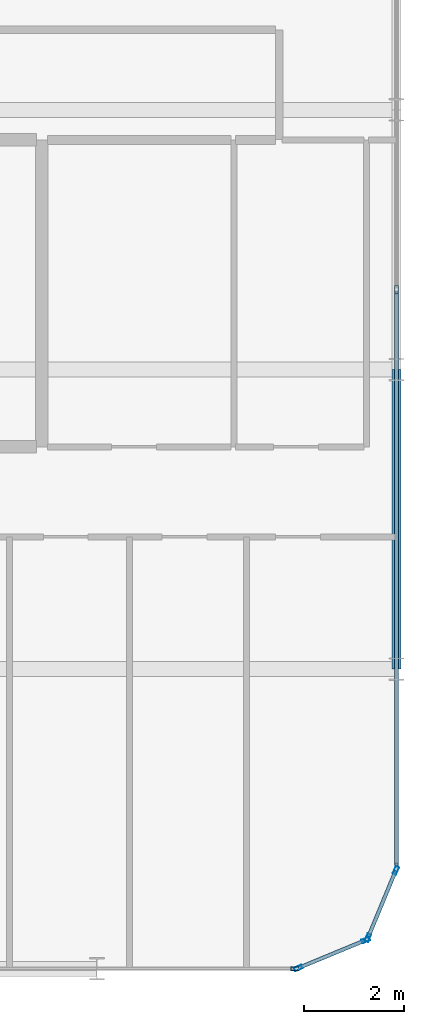
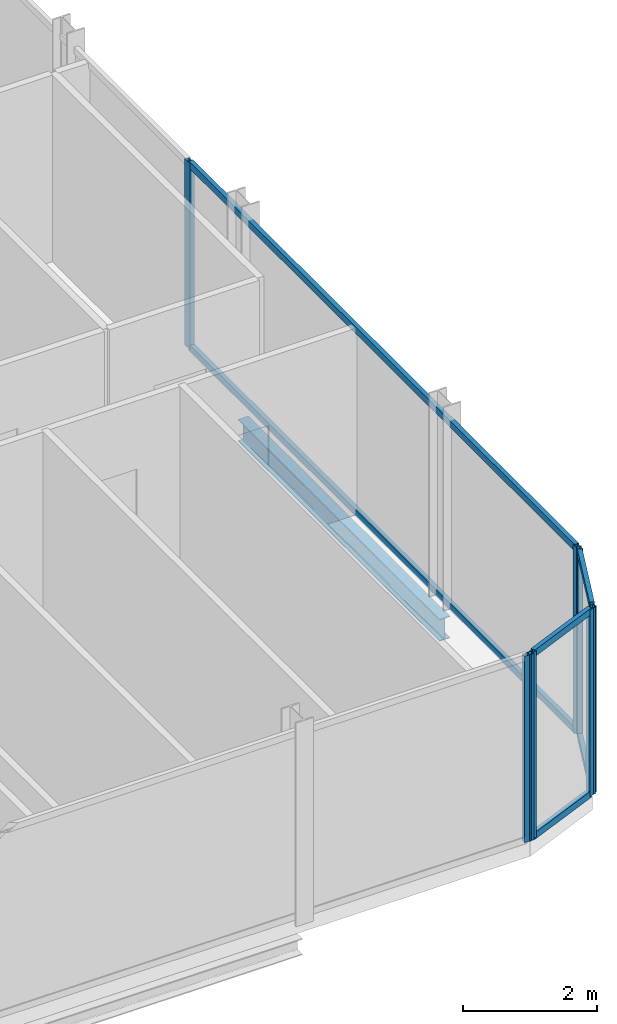
# One storey, part 12 of 29: 13 members, 1 beam, 4 elements without a shape of their own.
"""IFC4 building model written with IfcOpenShell, lengths in metres."""

from ifc_helpers import new_model, si_unit, direction, frame, origin, origin_2d, place, context, subcontext, project, spatial, hollow_rectangle, i_section, extrude, material, layer, layer_set, material_profile, profile_set, type_object, element, aggregate, save


model = new_model("IFC4")

# Units and contexts
model_context = context("Model", 3, precision=1e-05, world=origin(), true_north=direction((0.0, 1.0)))
body_context = subcontext(model_context, "Body", "Model", "MODEL_VIEW")
ifc_project = project(units=[si_unit("LENGTHUNIT", "METRE"), si_unit("AREAUNIT", "SQUARE_METRE"), si_unit("VOLUMEUNIT", "CUBIC_METRE"), si_unit("PLANEANGLEUNIT", "RADIAN"), si_unit("MASSUNIT", "GRAM", prefix="KILO")], contexts=[model_context])

# Site, building, storey
site_placement = place(None, origin())
site = spatial("IfcSite", under=ifc_project, at=site_placement, CompositionType="ELEMENT")
building_placement = place(site_placement, origin())
building = spatial("IfcBuilding", under=site, at=building_placement, Name="Keshet Zoharim Tower", CompositionType="ELEMENT")
storey_placement = place(building_placement, frame((0.0, 0.0, 176.5)))
storey = spatial("IfcBuildingStorey", under=building, at=storey_placement, Name="L43", CompositionType="ELEMENT", Elevation=176.5)

# Beam
ifc_material_1 = material(Name="Steel S355", Category="steel")
ifc_material_profile_1 = material_profile(ifc_material_1, i_section(OverallWidth=0.179931640625, OverallDepth=0.39990234375, WebThickness=0.008544921875, FlangeThickness=0.013427734375, FilletRadius=0.02099609375, at=origin_2d()), Name="IPE400")
ifc_profile_set_1 = profile_set([ifc_material_profile_1], Name="Steel S355")
beam_type = type_object("IfcBeamType", Name="BM-PRI-IP400", PredefinedType="BEAM", material=ifc_profile_set_1)
beam_placement = place(storey_placement, frame((57.0, 6.699951171875, -0.510009765625), z_axis=(0.0, 1.0, 0.0), x_axis=(-1.0, 0.0, 0.0)))
element("IfcBeam", 1, at=beam_placement, inside=storey, type_object=beam_type, Name="L43 Primary Girder Y-013", PredefinedType="BEAM", context=body_context, shape_type="SweptSolid", body=[
    extrude(i_section(OverallWidth=0.179931640625, OverallDepth=0.39990234375, WebThickness=0.008544921875, FlangeThickness=0.013427734375, FilletRadius=0.02099609375, at=origin_2d()), origin(), (0.0, 0.0, 1.0), 6.0),
])

# Curtain wall, members
ifc_material_2 = material(Name="Aluminium 6063-T6", Category="aluminium")
ifc_layer = layer(ifc_material_2, 0.139892578125)
ifc_layer_set = layer_set([ifc_layer], Name="Aluminium 6063-T6")
curtain_wall_type = type_object("IfcCurtainWallType", Name="CW-SYS-05", PredefinedType="NOTDEFINED", material=ifc_layer_set)
curtain_wall_1_placement = place(storey_placement, origin())
curtain_wall_1 = element("IfcCurtainWall", 2, at=curtain_wall_1_placement, inside=storey, type_object=curtain_wall_type, Name="L43 Unitised Curtain Wall 03", PredefinedType="NOTDEFINED")
ifc_material_profile_2 = material_profile(ifc_material_2, hollow_rectangle(XDim=0.074951171875, YDim=0.159912109375, WallThickness=0.00390625, at=origin_2d()), Name="MUL-75x160")
ifc_profile_set_2 = profile_set([ifc_material_profile_2], Name="Aluminium 6063-T6")
member_type_1 = type_object("IfcMemberType", Name="CWM-M15", PredefinedType="MULLION", material=ifc_profile_set_2)
member_1_placement = place(storey_placement, frame((57.0, 14.300048828125, 0.0), z_axis=(0.0, 0.0, 1.0), x_axis=(1.0, 0.0, 0.0)))
member_1 = element("IfcMember", 3, at=member_1_placement, type_object=member_type_1, Name="CW-05 mullion 2", PredefinedType="MULLION", context=body_context, shape_type="SweptSolid", body=[
    extrude(hollow_rectangle(XDim=0.074951171875, YDim=0.159912109375, WallThickness=0.00390625, at=origin_2d()), origin(), (0.0, 0.0, 1.0), 3.389892578125),
])
member_2_placement = place(storey_placement, frame((57.0, 2.735107421875, 0.0), z_axis=(0.0, 0.0, 1.0), x_axis=(1.0, 0.0, 0.0)))
member_2 = element("IfcMember", 4, at=member_2_placement, type_object=member_type_1, Name="CW-05 mullion 3", PredefinedType="MULLION", context=body_context, shape_type="SweptSolid", body=[
    extrude(hollow_rectangle(XDim=0.074951171875, YDim=0.159912109375, WallThickness=0.00390625, at=origin_2d()), origin(), (0.0, 0.0, 1.0), 3.389892578125),
])

curtain_wall_2_placement = place(storey_placement, origin())
curtain_wall_2 = element("IfcCurtainWall", 5, at=curtain_wall_2_placement, inside=storey, type_object=curtain_wall_type, Name="L43 Unitised Curtain Wall 04", PredefinedType="NOTDEFINED")
member_3_placement = place(storey_placement, frame((56.986572265625, 2.667724609375, 0.0), z_axis=(0.0, 0.0, 1.0), x_axis=(0.92380975372, -0.382851849847, 0.0)))
member_3 = element("IfcMember", 6, at=member_3_placement, type_object=member_type_1, Name="CW-05 mullion 1", PredefinedType="MULLION", context=body_context, shape_type="SweptSolid", body=[
    extrude(hollow_rectangle(XDim=0.074951171875, YDim=0.159912109375, WallThickness=0.00390625, at=origin_2d()), origin(), (0.0, 0.0, 1.0), 3.389892578125),
])
member_4_placement = place(storey_placement, frame((56.427490234375, 1.318359375, 0.0), z_axis=(0.0, 0.0, 1.0), x_axis=(0.92380975372, -0.382851849847, 0.0)))
member_4 = element("IfcMember", 7, at=member_4_placement, type_object=member_type_1, Name="CW-05 mullion 2", PredefinedType="MULLION", context=body_context, shape_type="SweptSolid", body=[
    extrude(hollow_rectangle(XDim=0.074951171875, YDim=0.159912109375, WallThickness=0.00390625, at=origin_2d()), origin(), (0.0, 0.0, 1.0), 3.389892578125),
])

curtain_wall_3_placement = place(storey_placement, origin())
curtain_wall_3 = element("IfcCurtainWall", 8, at=curtain_wall_3_placement, inside=storey, type_object=curtain_wall_type, Name="L43 Unitised Curtain Wall 05", PredefinedType="NOTDEFINED")
member_5_placement = place(storey_placement, frame((56.381591796875, 1.272705078125, 0.0), z_axis=(0.0, 0.0, 1.0), x_axis=(0.382851849847, -0.92380975372, 0.0)))
member_5 = element("IfcMember", 9, at=member_5_placement, type_object=member_type_1, Name="CW-05 mullion 1", PredefinedType="MULLION", context=body_context, shape_type="SweptSolid", body=[
    extrude(hollow_rectangle(XDim=0.074951171875, YDim=0.159912109375, WallThickness=0.00390625, at=origin_2d()), origin(), (0.0, 0.0, 1.0), 3.389892578125),
])
member_6_placement = place(storey_placement, frame((55.0322265625, 0.71337890625, 0.0), z_axis=(0.0, 0.0, 1.0), x_axis=(0.382851849847, -0.92380975372, 0.0)))
member_6 = element("IfcMember", 10, at=member_6_placement, type_object=member_type_1, Name="CW-05 mullion 2", PredefinedType="MULLION", context=body_context, shape_type="SweptSolid", body=[
    extrude(hollow_rectangle(XDim=0.074951171875, YDim=0.159912109375, WallThickness=0.00390625, at=origin_2d()), origin(), (0.0, 0.0, 1.0), 3.389892578125),
])

# Curtain wall, member
curtain_wall_4_placement = place(storey_placement, origin())
curtain_wall_4 = element("IfcCurtainWall", 11, at=curtain_wall_4_placement, inside=storey, type_object=curtain_wall_type, Name="L43 Unitised Curtain Wall 06", PredefinedType="NOTDEFINED")
member_7_placement = place(storey_placement, frame((54.965087890625, 0.699951171875, 0.0), z_axis=(0.0, 0.0, 1.0), x_axis=(0.0, -1.0, 0.0)))
member_7 = element("IfcMember", 12, at=member_7_placement, type_object=member_type_1, Name="CW-05 mullion 1", PredefinedType="MULLION", context=body_context, shape_type="SweptSolid", body=[
    extrude(hollow_rectangle(XDim=0.074951171875, YDim=0.159912109375, WallThickness=0.00390625, at=origin_2d()), origin(), (0.0, 0.0, 1.0), 3.389892578125),
])
aggregate(curtain_wall_4, [member_7])

# Member
ifc_material_profile_3 = material_profile(ifc_material_2, hollow_rectangle(XDim=0.074951171875, YDim=0.1201171875, WallThickness=0.00390625, at=origin_2d()), Name="TRN-75x120")
ifc_profile_set_3 = profile_set([ifc_material_profile_3], Name="Aluminium 6063-T6")
member_type_2 = type_object("IfcMemberType", Name="CWT-T12", PredefinedType="USERDEFINED", material=ifc_profile_set_3)
member_8_placement = place(storey_placement, frame((57.0, 14.264892578125, 0.034912109375), z_axis=(0.0, -1.0, 0.0), x_axis=(1.0, 0.0, 0.0)))
member_8 = element("IfcMember", 13, at=member_8_placement, type_object=member_type_2, Name="CW-05 transom 2.1", ObjectType="TRANSOM", PredefinedType="USERDEFINED", context=body_context, shape_type="SweptSolid", body=[
    extrude(hollow_rectangle(XDim=0.074951171875, YDim=0.1201171875, WallThickness=0.00390625, at=origin_2d()), origin(), (0.0, 0.0, 1.0), 11.494873046875),
])

member_9_placement = place(storey_placement, frame((57.0, 14.264892578125, 3.35498046875), z_axis=(0.0, -1.0, 0.0), x_axis=(1.0, 0.0, 0.0)))
member_9 = element("IfcMember", 14, at=member_9_placement, type_object=member_type_2, Name="CW-05 transom 2.2", ObjectType="TRANSOM", PredefinedType="USERDEFINED", context=body_context, shape_type="SweptSolid", body=[
    extrude(hollow_rectangle(XDim=0.074951171875, YDim=0.1201171875, WallThickness=0.00390625, at=origin_2d()), origin(), (0.0, 0.0, 1.0), 11.494873046875),
])

aggregate(curtain_wall_1, [member_1, member_2, member_8, member_9])

member_10_placement = place(storey_placement, frame((56.97314453125, 2.63525390625, 0.034912109375), z_axis=(-0.382744609247, -0.923854189844, 0.0), x_axis=(0.923854189844, -0.382744609247, 0.0)))
member_10 = element("IfcMember", 15, at=member_10_placement, type_object=member_type_2, Name="CW-05 transom 1.1", ObjectType="TRANSOM", PredefinedType="USERDEFINED", context=body_context, shape_type="SweptSolid", body=[
    extrude(hollow_rectangle(XDim=0.074951171875, YDim=0.1201171875, WallThickness=0.00390625, at=origin_2d()), origin(), (0.0, 0.0, 1.0), 1.390625),
])

member_11_placement = place(storey_placement, frame((56.97314453125, 2.63525390625, 3.35498046875), z_axis=(-0.382744609247, -0.923854189844, 0.0), x_axis=(0.923854189844, -0.382744609247, 0.0)))
member_11 = element("IfcMember", 16, at=member_11_placement, type_object=member_type_2, Name="CW-05 transom 1.2", ObjectType="TRANSOM", PredefinedType="USERDEFINED", context=body_context, shape_type="SweptSolid", body=[
    extrude(hollow_rectangle(XDim=0.074951171875, YDim=0.1201171875, WallThickness=0.00390625, at=origin_2d()), origin(), (0.0, 0.0, 1.0), 1.390625),
])

aggregate(curtain_wall_2, [member_3, member_4, member_10, member_11])

member_12_placement = place(storey_placement, frame((56.349365234375, 1.25927734375, 0.034912109375), z_axis=(-0.92379209995, -0.382894445076, 0.0), x_axis=(0.382894445076, -0.92379209995, 0.0)))
member_12 = element("IfcMember", 17, at=member_12_placement, type_object=member_type_2, Name="CW-05 transom 1.1", ObjectType="TRANSOM", PredefinedType="USERDEFINED", context=body_context, shape_type="SweptSolid", body=[
    extrude(hollow_rectangle(XDim=0.074951171875, YDim=0.1201171875, WallThickness=0.00390625, at=origin_2d()), origin(), (0.0, 0.0, 1.0), 1.390625),
])

member_13_placement = place(storey_placement, frame((56.349365234375, 1.25927734375, 3.35498046875), z_axis=(-0.92379209995, -0.382894445076, 0.0), x_axis=(0.382894445076, -0.92379209995, 0.0)))
member_13 = element("IfcMember", 18, at=member_13_placement, type_object=member_type_2, Name="CW-05 transom 1.2", ObjectType="TRANSOM", PredefinedType="USERDEFINED", context=body_context, shape_type="SweptSolid", body=[
    extrude(hollow_rectangle(XDim=0.074951171875, YDim=0.1201171875, WallThickness=0.00390625, at=origin_2d()), origin(), (0.0, 0.0, 1.0), 1.390625),
])

aggregate(curtain_wall_3, [member_5, member_6, member_12, member_13])

save(model, "model.ifc")
